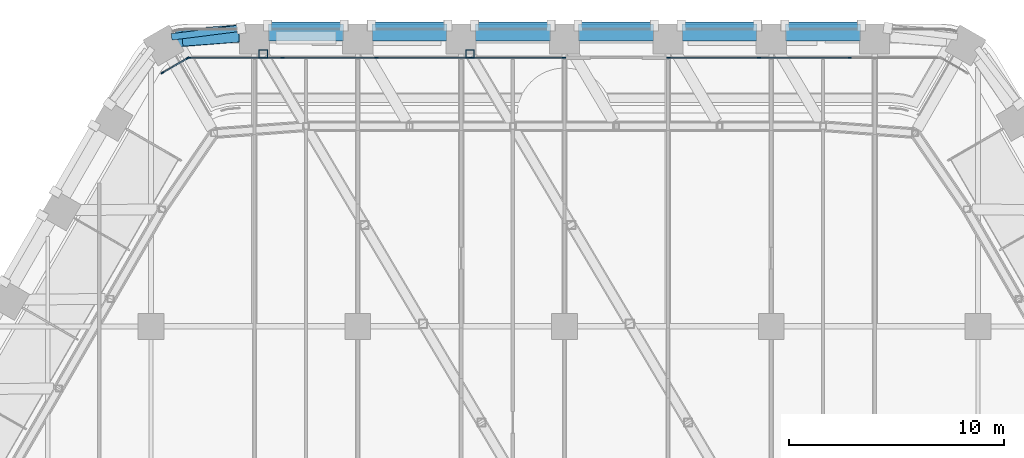
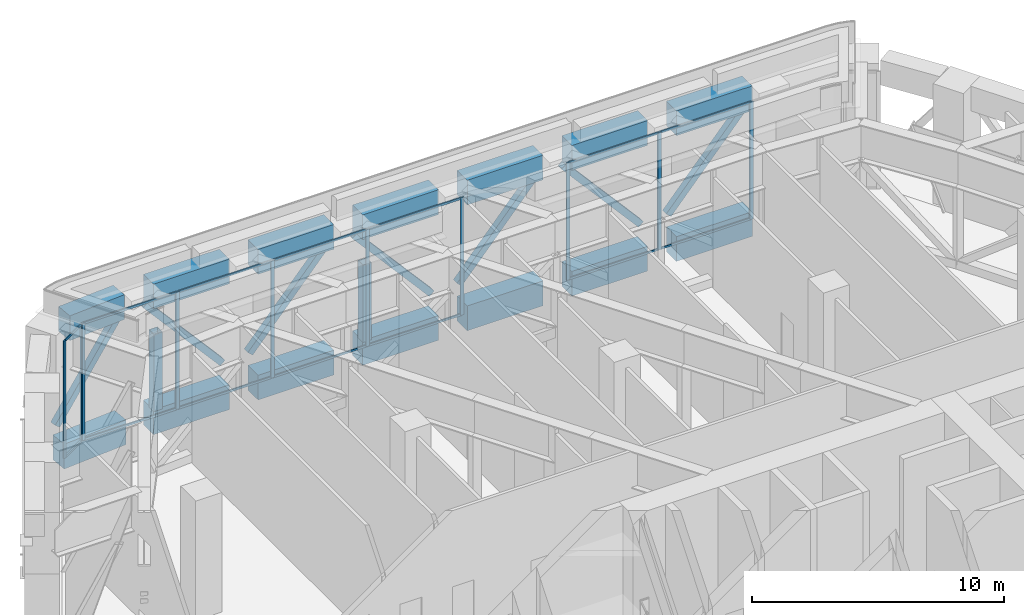
# One storey, part 14 of 35: 33 members, 14 beams, 3 elements without a shape of their own.
"""IFC4 building model written with IfcOpenShell, lengths in metres."""

from ifc_helpers import new_model, si_unit, direction, frame, origin, origin_2d, place, context, subcontext, project, spatial, rectangle, hollow_rectangle, extrude, material, material_profile, profile_set, type_object, element, aggregate, save


model = new_model("IFC4")

# Units and contexts
model_context = context("Model", 3, precision=1e-05, world=origin(), true_north=direction((0.0, 1.0)))
body_context = subcontext(model_context, "Body", "Model", "MODEL_VIEW")
ifc_project = project(units=[si_unit("LENGTHUNIT", "METRE"), si_unit("AREAUNIT", "SQUARE_METRE"), si_unit("VOLUMEUNIT", "CUBIC_METRE"), si_unit("PLANEANGLEUNIT", "RADIAN"), si_unit("MASSUNIT", "GRAM", prefix="KILO")], contexts=[model_context])

# Site, building, storey
site_placement = place(None, origin())
site = spatial("IfcSite", under=ifc_project, at=site_placement, CompositionType="ELEMENT")
building_placement = place(site_placement, origin())
building = spatial("IfcBuilding", under=site, at=building_placement, Name="Kolab Exchange Tower", CompositionType="ELEMENT")
storey_placement = place(building_placement, frame((0.0, 0.0, 71.89990234375)))
storey = spatial("IfcBuildingStorey", under=building, at=storey_placement, Name="L13", CompositionType="ELEMENT", Elevation=71.89990234375)

# Members
ifc_material_1 = material(Name="Steel S355", Category="steel")
ifc_material_profile_1 = material_profile(ifc_material_1, hollow_rectangle(XDim=0.300048828125, YDim=0.300048828125, WallThickness=0.01611328125, at=origin_2d()), Name="HSS300X300X16")
ifc_profile_set_1 = profile_set([ifc_material_profile_1], Name="Steel S355")
member_type_1 = type_object("IfcMemberType", Name="BELT TRUSS BRACE HSS300X300X16", PredefinedType="BRACE", material=ifc_profile_set_1)
member_1_placement = place(storey_placement, frame((-18.128173828125, 32.66064453125, 0.400146484375), z_axis=(0.605882230288, 0.076660116745, 0.791852227074), x_axis=(-0.125525655119, 0.992090373861, 0.0)))
element("IfcMember", 1, at=member_1_placement, inside=storey, type_object=member_type_1, Name="mem/L13/fb/F1-01", PredefinedType="BRACE", context=body_context, shape_type="SweptSolid", body=[
    extrude(hollow_rectangle(XDim=0.300048828125, YDim=0.300048828125, WallThickness=0.01611328125, at=origin_2d()), origin(), (0.0, 0.0, 1.0), 5.11474609375),
])
for number, where, z_axis, x_axis, name in (
    (2, (-13.76611328125, 33.1796875, 4.4501953125), (0.65728476619, 0.0, -0.753642313127), (0.0, 1.0, 0.0), "mem/L13/fb/F1-02"),
    (3, (-8.966064453125, 33.1796875, 0.400146484375), (0.65728476619, 0.0, 0.753642313127), (0.0, 1.0, 0.0), "mem/L13/fb/F1-03"),
    (4, (-4.166015625, 33.1796875, 4.4501953125), (0.65728476619, 0.0, -0.753642313127), (0.0, 1.0, 0.0), "mem/L13/fb/F1-04"),
    (5, (0.6337890625, 33.1796875, 0.400146484375), (0.65728476619, 0.0, 0.753642313127), (0.0, 1.0, 0.0), "mem/L13/fb/F1-05"),
    (6, (5.433837890625, 33.1796875, 4.4501953125), (0.65728476619, 0.0, -0.753642313127), (0.0, 1.0, 0.0), "mem/L13/fb/F1-06"),
    (7, (10.23388671875, 33.1796875, 0.400146484375), (0.65728476619, 0.0, 0.753642313127), (0.0, 1.0, 0.0), "mem/L13/fb/F1-07"),
):
    element("IfcMember", number, at=place(storey_placement, frame(where, z_axis=z_axis, x_axis=x_axis)), inside=storey, type_object=member_type_1, Name=name, PredefinedType="BRACE", context=body_context, shape_type="SweptSolid", body=[
        extrude(hollow_rectangle(XDim=0.300048828125, YDim=0.300048828125, WallThickness=0.01611328125, at=origin_2d()), origin(), (0.0, 0.0, 1.0), 5.3740234375),
    ])
ifc_material_profile_2 = material_profile(ifc_material_1, hollow_rectangle(XDim=0.39990234375, YDim=0.39990234375, WallThickness=0.02001953125, at=origin_2d()), Name="HSS400X400X20")
ifc_profile_set_2 = profile_set([ifc_material_profile_2], Name="Steel S355")
member_type_2 = type_object("IfcMemberType", Name="OUTRIGGER POST HSS400X400X20", PredefinedType="POST", material=ifc_profile_set_2)
for number, where, z_axis, x_axis, name in (
    (8, (-13.98583984375, 31.85546875, 0.25), (0.0, 0.0, 1.0), (1.0, 0.0, 0.0), "mem/L13/out/00/p05"),
    (9, (-4.385986328125, 31.85546875, 0.25), (0.0, 0.0, 1.0), (1.0, 0.0, 0.0), "mem/L13/out/01/p05"),
):
    element("IfcMember", number, at=place(storey_placement, frame(where, z_axis=z_axis, x_axis=x_axis)), inside=storey, type_object=member_type_2, Name=name, PredefinedType="POST", context=body_context, shape_type="SweptSolid", body=[
        extrude(hollow_rectangle(XDim=0.39990234375, YDim=0.39990234375, WallThickness=0.02001953125, at=origin_2d()), origin(), (0.0, 0.0, 1.0), 3.75),
    ])

# Beams
ifc_material_2 = material(Name="Concrete C80/95", Category="concrete")
ifc_material_profile_3 = material_profile(ifc_material_2, rectangle(XDim=0.800048828125, YDim=1.199951171875, at=origin_2d()), Name="RC800X1200")
ifc_profile_set_3 = profile_set([ifc_material_profile_3], Name="Concrete C80/95")
beam_type = type_object("IfcBeamType", Name="SPANDREL BEAM 800X1200 C80/95", PredefinedType="BEAM", material=ifc_profile_set_3)
beam_1_placement = place(storey_placement, frame((-18.03515625, 32.5654296875, -0.89990234375), z_axis=(0.996833978278, 0.07951112973, 0.0), x_axis=(-0.07951112973, 0.996833978278, 0.0)))
element("IfcBeam", 10, at=beam_1_placement, inside=storey, type_object=beam_type, Name="beam/L13/sp/F1-01", PredefinedType="BEAM", context=body_context, shape_type="SweptSolid", body=[
    extrude(rectangle(XDim=0.800048828125, YDim=1.199951171875, at=origin_2d()), origin(), (0.0, 0.0, 1.0), 2.984619140625),
])
for number, where, z_axis, x_axis, name in (
    (11, (-13.739990234375, 32.85546875, -0.89990234375), (1.0, 0.0, 0.0), (0.0, 1.0, 0.0), "beam/L13/sp/F1-02"),
    (12, (-8.93994140625, 32.85546875, -0.89990234375), (1.0, 0.0, 0.0), (0.0, 1.0, 0.0), "beam/L13/sp/F1-03"),
    (13, (-4.139892578125, 32.85546875, -0.89990234375), (1.0, 0.0, 0.0), (0.0, 1.0, 0.0), "beam/L13/sp/F1-04"),
    (14, (0.659912109375, 32.85546875, -0.89990234375), (1.0, 0.0, 0.0), (0.0, 1.0, 0.0), "beam/L13/sp/F1-05"),
    (15, (5.4599609375, 32.85546875, -0.89990234375), (1.0, 0.0, 0.0), (0.0, 1.0, 0.0), "beam/L13/sp/F1-06"),
    (16, (10.260009765625, 32.85546875, -0.89990234375), (1.0, 0.0, 0.0), (0.0, 1.0, 0.0), "beam/L13/sp/F1-07"),
):
    element("IfcBeam", number, at=place(storey_placement, frame(where, z_axis=z_axis, x_axis=x_axis)), inside=storey, type_object=beam_type, Name=name, PredefinedType="BEAM", context=body_context, shape_type="SweptSolid", body=[
        extrude(rectangle(XDim=0.800048828125, YDim=1.199951171875, at=origin_2d()), origin(), (0.0, 0.0, 1.0), 3.47998046875),
    ])
beam_2_placement = place(storey_placement, frame((-17.747314453125, 32.611572265625, 5.2001953125), z_axis=(0.997338344105, 0.072912463799, 0.0), x_axis=(-0.072912463799, 0.997338344105, 0.0)))
element("IfcBeam", 17, at=beam_2_placement, inside=storey, type_object=beam_type, Name="beam/L13/cp/F1-01", PredefinedType="BEAM", context=body_context, shape_type="SweptSolid", body=[
    extrude(rectangle(XDim=0.800048828125, YDim=1.199951171875, at=origin_2d()), origin(), (0.0, 0.0, 1.0), 2.625244140625),
])
for number, where, z_axis, x_axis, name in (
    (18, (-13.739990234375, 32.85546875, 5.2001953125), (1.0, 0.0, 0.0), (0.0, 1.0, 0.0), "beam/L13/cp/F1-02"),
    (19, (-8.93994140625, 32.85546875, 5.2001953125), (1.0, 0.0, 0.0), (0.0, 1.0, 0.0), "beam/L13/cp/F1-03"),
    (20, (-4.139892578125, 32.85546875, 5.2001953125), (1.0, 0.0, 0.0), (0.0, 1.0, 0.0), "beam/L13/cp/F1-04"),
    (21, (0.659912109375, 32.85546875, 5.2001953125), (1.0, 0.0, 0.0), (0.0, 1.0, 0.0), "beam/L13/cp/F1-05"),
    (22, (5.4599609375, 32.85546875, 5.2001953125), (1.0, 0.0, 0.0), (0.0, 1.0, 0.0), "beam/L13/cp/F1-06"),
    (23, (10.260009765625, 32.85546875, 5.2001953125), (1.0, 0.0, 0.0), (0.0, 1.0, 0.0), "beam/L13/cp/F1-07"),
):
    element("IfcBeam", number, at=place(storey_placement, frame(where, z_axis=z_axis, x_axis=x_axis)), inside=storey, type_object=beam_type, Name=name, PredefinedType="BEAM", context=body_context, shape_type="SweptSolid", body=[
        extrude(rectangle(XDim=0.800048828125, YDim=1.199951171875, at=origin_2d()), origin(), (0.0, 0.0, 1.0), 3.47998046875),
    ])

# Curtain wall, members
ifc_material_3 = material(Name="Aluminium EN AW-6063 T6", Category="aluminium")
curtain_wall_type = type_object("IfcCurtainWallType", Name="UNITISED LOW ZONE BELT CURTAIN WALL", PredefinedType="NOTDEFINED", material=ifc_material_3)
curtain_wall_1_placement = place(storey_placement, origin())
curtain_wall_1 = element("IfcCurtainWall", 24, at=curtain_wall_1_placement, inside=storey, type_object=curtain_wall_type, Name="cw/L13/F1-1", PredefinedType="NOTDEFINED")
ifc_material_profile_4 = material_profile(ifc_material_3, rectangle(XDim=0.06005859375, YDim=0.159912109375, at=origin_2d()), Name="RECT 60X160")
ifc_profile_set_4 = profile_set([ifc_material_profile_4], Name="Aluminium EN AW-6063 T6")
member_type_3 = type_object("IfcMemberType", Name="UNITISED LOW ZONE BELT MULLION 60 X 160", PredefinedType="MULLION", material=ifc_profile_set_4)
member_2_placement = place(storey_placement, frame((-17.43798828125, 31.67529296875, 0.0), z_axis=(0.0, 0.0, 1.0), x_axis=(0.0, 1.0, 0.0)))
member_2 = element("IfcMember", 25, at=member_2_placement, type_object=member_type_3, Name="CW9 mullion 1", PredefinedType="MULLION", context=body_context, shape_type="SweptSolid", body=[
    extrude(rectangle(XDim=0.06005859375, YDim=0.159912109375, at=origin_2d()), origin(), (0.0, 0.0, 1.0), 5.7001953125),
])
member_3_placement = place(storey_placement, frame((-13.10107421875, 31.67529296875, 0.0), z_axis=(0.0, 0.0, 1.0), x_axis=(0.0, 1.0, 0.0)))
member_3 = element("IfcMember", 26, at=member_3_placement, type_object=member_type_3, Name="CW9 mullion 2", PredefinedType="MULLION", context=body_context, shape_type="SweptSolid", body=[
    extrude(rectangle(XDim=0.06005859375, YDim=0.159912109375, at=origin_2d()), origin(), (0.0, 0.0, 1.0), 5.7001953125),
])
member_4_placement = place(storey_placement, frame((-8.73388671875, 31.67529296875, 0.0), z_axis=(0.0, 0.0, 1.0), x_axis=(0.0, 1.0, 0.0)))
member_4 = element("IfcMember", 27, at=member_4_placement, type_object=member_type_3, Name="CW9 mullion 3", PredefinedType="MULLION", context=body_context, shape_type="SweptSolid", body=[
    extrude(rectangle(XDim=0.06005859375, YDim=0.159912109375, at=origin_2d()), origin(), (0.0, 0.0, 1.0), 5.7001953125),
])
member_5_placement = place(storey_placement, frame((-4.366943359375, 31.67529296875, 0.0), z_axis=(0.0, 0.0, 1.0), x_axis=(0.0, 1.0, 0.0)))
member_5 = element("IfcMember", 28, at=member_5_placement, type_object=member_type_3, Name="CW9 mullion 4", PredefinedType="MULLION", context=body_context, shape_type="SweptSolid", body=[
    extrude(rectangle(XDim=0.06005859375, YDim=0.159912109375, at=origin_2d()), origin(), (0.0, 0.0, 1.0), 5.7001953125),
])
member_6_placement = place(storey_placement, frame((-0.030029296875, 31.67529296875, 0.0), z_axis=(0.0, 0.0, 1.0), x_axis=(0.0, 1.0, 0.0)))
member_6 = element("IfcMember", 29, at=member_6_placement, type_object=member_type_3, Name="CW9 mullion 5", PredefinedType="MULLION", context=body_context, shape_type="SweptSolid", body=[
    extrude(rectangle(XDim=0.06005859375, YDim=0.159912109375, at=origin_2d()), origin(), (0.0, 0.0, 1.0), 5.7001953125),
])

curtain_wall_2_placement = place(storey_placement, origin())
curtain_wall_2 = element("IfcCurtainWall", 30, at=curtain_wall_2_placement, inside=storey, type_object=curtain_wall_type, Name="cw/L13/F1-2", PredefinedType="NOTDEFINED")
member_7_placement = place(storey_placement, frame((4.830078125, 31.67529296875, 0.0), z_axis=(0.0, 0.0, 1.0), x_axis=(0.0, 1.0, 0.0)))
member_7 = element("IfcMember", 31, at=member_7_placement, type_object=member_type_3, Name="CW9 mullion 1", PredefinedType="MULLION", context=body_context, shape_type="SweptSolid", body=[
    extrude(rectangle(XDim=0.06005859375, YDim=0.159912109375, at=origin_2d()), origin(), (0.0, 0.0, 1.0), 5.7001953125),
])
member_8_placement = place(storey_placement, frame((9.022705078125, 31.67529296875, 0.0), z_axis=(0.0, 0.0, 1.0), x_axis=(0.0, 1.0, 0.0)))
member_8 = element("IfcMember", 32, at=member_8_placement, type_object=member_type_3, Name="CW9 mullion 2", PredefinedType="MULLION", context=body_context, shape_type="SweptSolid", body=[
    extrude(rectangle(XDim=0.06005859375, YDim=0.159912109375, at=origin_2d()), origin(), (0.0, 0.0, 1.0), 5.7001953125),
])
member_9_placement = place(storey_placement, frame((13.245361328125, 31.67529296875, 0.0), z_axis=(0.0, 0.0, 1.0), x_axis=(0.0, 1.0, 0.0)))
member_9 = element("IfcMember", 33, at=member_9_placement, type_object=member_type_3, Name="CW9 mullion 3", PredefinedType="MULLION", context=body_context, shape_type="SweptSolid", body=[
    extrude(rectangle(XDim=0.06005859375, YDim=0.159912109375, at=origin_2d()), origin(), (0.0, 0.0, 1.0), 5.7001953125),
])

curtain_wall_3_placement = place(storey_placement, origin())
curtain_wall_3 = element("IfcCurtainWall", 34, at=curtain_wall_3_placement, inside=storey, type_object=curtain_wall_type, Name="cw/L13/F6F1-corner", PredefinedType="NOTDEFINED")
member_10_placement = place(storey_placement, frame((-18.671630859375, 30.98046875, 0.0), z_axis=(0.0, 0.0, 1.0), x_axis=(-0.50000002237, 0.866025390869, 0.0)))
member_10 = element("IfcMember", 35, at=member_10_placement, type_object=member_type_3, Name="CW9 mullion 1", PredefinedType="MULLION", context=body_context, shape_type="SweptSolid", body=[
    extrude(rectangle(XDim=0.06005859375, YDim=0.159912109375, at=origin_2d()), origin(), (0.0, 0.0, 1.0), 5.7001953125),
])
member_11_placement = place(storey_placement, frame((-17.493896484375, 31.660400390625, 0.0), z_axis=(0.0, 0.0, 1.0), x_axis=(-0.50000002237, 0.866025390869, 0.0)))
member_11 = element("IfcMember", 36, at=member_11_placement, type_object=member_type_3, Name="CW9 mullion 2", PredefinedType="MULLION", context=body_context, shape_type="SweptSolid", body=[
    extrude(rectangle(XDim=0.06005859375, YDim=0.159912109375, at=origin_2d()), origin(), (0.0, 0.0, 1.0), 5.7001953125),
])

# Member
ifc_material_profile_5 = material_profile(ifc_material_3, rectangle(XDim=0.06005859375, YDim=0.10009765625, at=origin_2d()), Name="RECT 60X100")
ifc_profile_set_5 = profile_set([ifc_material_profile_5], Name="Aluminium EN AW-6063 T6")
member_type_4 = type_object("IfcMemberType", Name="UNITISED LOW ZONE BELT TRANSOM 60 X 100", PredefinedType="USERDEFINED", material=ifc_profile_set_5)
member_12_placement = place(storey_placement, frame((-17.407958984375, 31.67529296875, 0.030029296875), z_axis=(1.0, 0.0, 0.0), x_axis=(0.0, 1.0, 0.0)))
member_12 = element("IfcMember", 37, at=member_12_placement, type_object=member_type_4, Name="CW9 transom 1.1", ObjectType="TRANSOM", PredefinedType="USERDEFINED", context=body_context, shape_type="SweptSolid", body=[
    extrude(rectangle(XDim=0.06005859375, YDim=0.10009765625, at=origin_2d()), origin(), (0.0, 0.0, 1.0), 4.277099609375),
])

member_13_placement = place(storey_placement, frame((-17.407958984375, 31.67529296875, 5.670166015625), z_axis=(1.0, 0.0, 0.0), x_axis=(0.0, 1.0, 0.0)))
member_13 = element("IfcMember", 38, at=member_13_placement, type_object=member_type_4, Name="CW9 transom 1.2", ObjectType="TRANSOM", PredefinedType="USERDEFINED", context=body_context, shape_type="SweptSolid", body=[
    extrude(rectangle(XDim=0.06005859375, YDim=0.10009765625, at=origin_2d()), origin(), (0.0, 0.0, 1.0), 4.277099609375),
])

member_14_placement = place(storey_placement, frame((-13.071044921875, 31.67529296875, 0.030029296875), z_axis=(1.0, 0.0, 0.0), x_axis=(0.0, 1.0, 0.0)))
member_14 = element("IfcMember", 39, at=member_14_placement, type_object=member_type_4, Name="CW9 transom 2.1", ObjectType="TRANSOM", PredefinedType="USERDEFINED", context=body_context, shape_type="SweptSolid", body=[
    extrude(rectangle(XDim=0.06005859375, YDim=0.10009765625, at=origin_2d()), origin(), (0.0, 0.0, 1.0), 4.30712890625),
])

member_15_placement = place(storey_placement, frame((-13.071044921875, 31.67529296875, 5.670166015625), z_axis=(1.0, 0.0, 0.0), x_axis=(0.0, 1.0, 0.0)))
member_15 = element("IfcMember", 40, at=member_15_placement, type_object=member_type_4, Name="CW9 transom 2.2", ObjectType="TRANSOM", PredefinedType="USERDEFINED", context=body_context, shape_type="SweptSolid", body=[
    extrude(rectangle(XDim=0.06005859375, YDim=0.10009765625, at=origin_2d()), origin(), (0.0, 0.0, 1.0), 4.30712890625),
])

member_16_placement = place(storey_placement, frame((-8.703857421875, 31.67529296875, 0.030029296875), z_axis=(1.0, 0.0, 0.0), x_axis=(0.0, 1.0, 0.0)))
member_16 = element("IfcMember", 41, at=member_16_placement, type_object=member_type_4, Name="CW9 transom 3.1", ObjectType="TRANSOM", PredefinedType="USERDEFINED", context=body_context, shape_type="SweptSolid", body=[
    extrude(rectangle(XDim=0.06005859375, YDim=0.10009765625, at=origin_2d()), origin(), (0.0, 0.0, 1.0), 4.306884765625),
])

member_17_placement = place(storey_placement, frame((-8.703857421875, 31.67529296875, 5.670166015625), z_axis=(1.0, 0.0, 0.0), x_axis=(0.0, 1.0, 0.0)))
member_17 = element("IfcMember", 42, at=member_17_placement, type_object=member_type_4, Name="CW9 transom 3.2", ObjectType="TRANSOM", PredefinedType="USERDEFINED", context=body_context, shape_type="SweptSolid", body=[
    extrude(rectangle(XDim=0.06005859375, YDim=0.10009765625, at=origin_2d()), origin(), (0.0, 0.0, 1.0), 4.306884765625),
])

member_18_placement = place(storey_placement, frame((-4.3369140625, 31.67529296875, 0.030029296875), z_axis=(1.0, 0.0, 0.0), x_axis=(0.0, 1.0, 0.0)))
member_18 = element("IfcMember", 43, at=member_18_placement, type_object=member_type_4, Name="CW9 transom 4.1", ObjectType="TRANSOM", PredefinedType="USERDEFINED", context=body_context, shape_type="SweptSolid", body=[
    extrude(rectangle(XDim=0.06005859375, YDim=0.10009765625, at=origin_2d()), origin(), (0.0, 0.0, 1.0), 4.27685546875),
])

member_19_placement = place(storey_placement, frame((-4.3369140625, 31.67529296875, 5.670166015625), z_axis=(1.0, 0.0, 0.0), x_axis=(0.0, 1.0, 0.0)))
member_19 = element("IfcMember", 44, at=member_19_placement, type_object=member_type_4, Name="CW9 transom 4.2", ObjectType="TRANSOM", PredefinedType="USERDEFINED", context=body_context, shape_type="SweptSolid", body=[
    extrude(rectangle(XDim=0.06005859375, YDim=0.10009765625, at=origin_2d()), origin(), (0.0, 0.0, 1.0), 4.27685546875),
])

aggregate(curtain_wall_1, [member_2, member_3, member_4, member_5, member_6, member_12, member_13, member_14, member_15, member_16, member_17, member_18, member_19])

member_20_placement = place(storey_placement, frame((4.860107421875, 31.67529296875, 0.030029296875), z_axis=(1.0, 0.0, 0.0), x_axis=(0.0, 1.0, 0.0)))
member_20 = element("IfcMember", 45, at=member_20_placement, type_object=member_type_4, Name="CW9 transom 1.1", ObjectType="TRANSOM", PredefinedType="USERDEFINED", context=body_context, shape_type="SweptSolid", body=[
    extrude(rectangle(XDim=0.06005859375, YDim=0.10009765625, at=origin_2d()), origin(), (0.0, 0.0, 1.0), 4.132568359375),
])

member_21_placement = place(storey_placement, frame((4.860107421875, 31.67529296875, 5.670166015625), z_axis=(1.0, 0.0, 0.0), x_axis=(0.0, 1.0, 0.0)))
member_21 = element("IfcMember", 46, at=member_21_placement, type_object=member_type_4, Name="CW9 transom 1.2", ObjectType="TRANSOM", PredefinedType="USERDEFINED", context=body_context, shape_type="SweptSolid", body=[
    extrude(rectangle(XDim=0.06005859375, YDim=0.10009765625, at=origin_2d()), origin(), (0.0, 0.0, 1.0), 4.132568359375),
])

member_22_placement = place(storey_placement, frame((9.052734375, 31.67529296875, 0.030029296875), z_axis=(1.0, 0.0, 0.0), x_axis=(0.0, 1.0, 0.0)))
member_22 = element("IfcMember", 47, at=member_22_placement, type_object=member_type_4, Name="CW9 transom 2.1", ObjectType="TRANSOM", PredefinedType="USERDEFINED", context=body_context, shape_type="SweptSolid", body=[
    extrude(rectangle(XDim=0.06005859375, YDim=0.10009765625, at=origin_2d()), origin(), (0.0, 0.0, 1.0), 4.16259765625),
])

member_23_placement = place(storey_placement, frame((9.052734375, 31.67529296875, 5.670166015625), z_axis=(1.0, 0.0, 0.0), x_axis=(0.0, 1.0, 0.0)))
member_23 = element("IfcMember", 48, at=member_23_placement, type_object=member_type_4, Name="CW9 transom 2.2", ObjectType="TRANSOM", PredefinedType="USERDEFINED", context=body_context, shape_type="SweptSolid", body=[
    extrude(rectangle(XDim=0.06005859375, YDim=0.10009765625, at=origin_2d()), origin(), (0.0, 0.0, 1.0), 4.16259765625),
])

aggregate(curtain_wall_2, [member_7, member_8, member_9, member_20, member_21, member_22, member_23])

member_24_placement = place(storey_placement, frame((-18.645751953125, 30.995361328125, 0.030029296875), z_axis=(0.86603858612, 0.49997716683, 0.0), x_axis=(-0.49997716683, 0.86603858612, 0.0)))
member_24 = element("IfcMember", 49, at=member_24_placement, type_object=member_type_4, Name="CW9 transom 1.1", ObjectType="TRANSOM", PredefinedType="USERDEFINED", context=body_context, shape_type="SweptSolid", body=[
    extrude(rectangle(XDim=0.06005859375, YDim=0.10009765625, at=origin_2d()), origin(), (0.0, 0.0, 1.0), 1.2998046875),
])

member_25_placement = place(storey_placement, frame((-18.645751953125, 30.995361328125, 5.670166015625), z_axis=(0.86603858612, 0.49997716683, 0.0), x_axis=(-0.49997716683, 0.86603858612, 0.0)))
member_25 = element("IfcMember", 50, at=member_25_placement, type_object=member_type_4, Name="CW9 transom 1.2", ObjectType="TRANSOM", PredefinedType="USERDEFINED", context=body_context, shape_type="SweptSolid", body=[
    extrude(rectangle(XDim=0.06005859375, YDim=0.10009765625, at=origin_2d()), origin(), (0.0, 0.0, 1.0), 1.2998046875),
])

aggregate(curtain_wall_3, [member_10, member_11, member_24, member_25])

save(model, "model.ifc")
